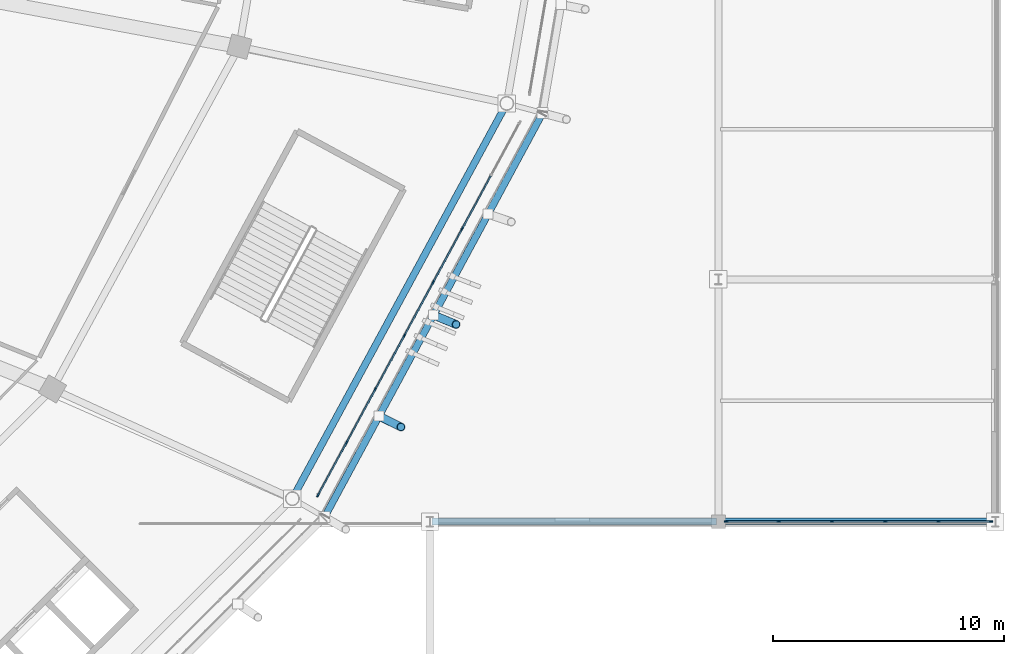
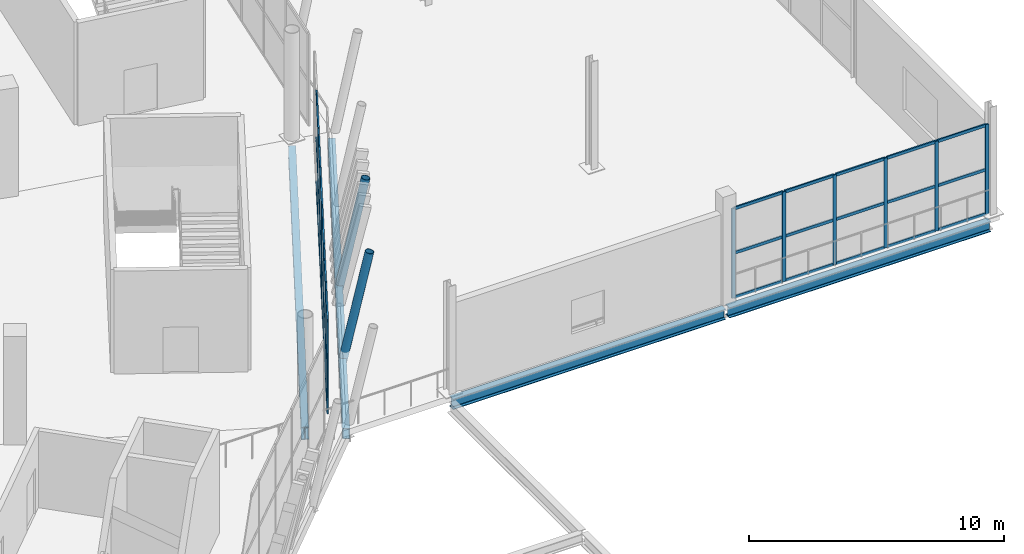
# One storey, part 59 of 178: 47 members, 4 beams, 2 elements without a shape of their own.
"""IFC4 building model written with IfcOpenShell, lengths in metres."""

from ifc_helpers import new_model, si_unit, direction, frame, origin, origin_2d, place, context, subcontext, project, spatial, rectangle, hollow_rectangle, hollow_circle, i_section, extrude, material, material_profile, profile_set, type_object, element, aggregate, save


model = new_model("IFC4")

# Units and contexts
model_context = context("Model", 3, precision=1e-05, world=origin(), true_north=direction((0.0, 1.0)))
body_context = subcontext(model_context, "Body", "Model", "MODEL_VIEW")
ifc_project = project(units=[si_unit("LENGTHUNIT", "METRE"), si_unit("AREAUNIT", "SQUARE_METRE"), si_unit("VOLUMEUNIT", "CUBIC_METRE"), si_unit("PLANEANGLEUNIT", "RADIAN"), si_unit("MASSUNIT", "GRAM", prefix="KILO")], contexts=[model_context])

# Site, building, storey
site_placement = place(None, origin())
site = spatial("IfcSite", under=ifc_project, at=site_placement, CompositionType="ELEMENT")
building_placement = place(site_placement, origin())
building = spatial("IfcBuilding", under=site, at=building_placement, Name="Zlatoyarsky Gate Stadium", CompositionType="ELEMENT")
storey_placement = place(building_placement, frame((0.0, 0.0, 5.39990234375)))
storey = spatial("IfcBuildingStorey", under=building, at=storey_placement, Name="L01", CompositionType="ELEMENT", Elevation=5.39990234375)

# Curtain wall, members
ifc_material_1 = material(Name="Thermally broken anodised aluminium curtain wall", Category="aluminium")
curtain_wall_type_1 = type_object("IfcCurtainWallType", Name="UNITISED HOSPITALITY GLAZING L01", PredefinedType="USERDEFINED", material=ifc_material_1)
curtain_wall_1_placement = place(storey_placement, origin())
curtain_wall_1 = element("IfcCurtainWall", 1, at=curtain_wall_1_placement, inside=storey, type_object=curtain_wall_type_1, Name="Curtain wall CW-L01-22", ObjectType="UNITISED GLAZING", PredefinedType="USERDEFINED")
ifc_material_2 = material(Name="Anodised aluminium 6063-T6", Category="aluminium")
ifc_material_profile_1 = material_profile(ifc_material_2, rectangle(XDim=0.06494140625, YDim=0.159912109375, at=origin_2d()), Name="ALU 65X160")
ifc_profile_set_1 = profile_set([ifc_material_profile_1], Name="Anodised aluminium 6063-T6")
member_type_1 = type_object("IfcMemberType", Name="ALUMINIUM MULLION 65X160", PredefinedType="MULLION", material=ifc_profile_set_1)
member_1_placement = place(storey_placement, frame((192.65185546875, 44.64599609375, 0.0), z_axis=(0.0, 0.0, 1.0), x_axis=(-0.879562033396, 0.475784225682, 0.0)))
member_1 = element("IfcMember", 2, at=member_1_placement, type_object=member_type_1, Name="CW-UG1 mullion 1", PredefinedType="MULLION", context=body_context, shape_type="SweptSolid", body=[
    extrude(rectangle(XDim=0.06494140625, YDim=0.159912109375, at=origin_2d()), origin(), (0.0, 0.0, 1.0), 4.400146484375),
])
member_2_placement = place(storey_placement, frame((193.88818359375, 46.931640625, 0.0), z_axis=(0.0, 0.0, 1.0), x_axis=(-0.879562033396, 0.475784225682, 0.0)))
member_2 = element("IfcMember", 3, at=member_2_placement, type_object=member_type_1, Name="CW-UG1 mullion 2", PredefinedType="MULLION", context=body_context, shape_type="SweptSolid", body=[
    extrude(rectangle(XDim=0.06494140625, YDim=0.159912109375, at=origin_2d()), origin(), (0.0, 0.0, 1.0), 4.400146484375),
])
member_3_placement = place(storey_placement, frame((195.14013671875, 49.245849609375, 0.0), z_axis=(0.0, 0.0, 1.0), x_axis=(-0.879562033396, 0.475784225682, 0.0)))
member_3 = element("IfcMember", 4, at=member_3_placement, type_object=member_type_1, Name="CW-UG1 mullion 3", PredefinedType="MULLION", context=body_context, shape_type="SweptSolid", body=[
    extrude(rectangle(XDim=0.06494140625, YDim=0.159912109375, at=origin_2d()), origin(), (0.0, 0.0, 1.0), 4.400146484375),
])
member_4_placement = place(storey_placement, frame((196.391845703125, 51.56005859375, 0.0), z_axis=(0.0, 0.0, 1.0), x_axis=(-0.879562033396, 0.475784225682, 0.0)))
member_4 = element("IfcMember", 5, at=member_4_placement, type_object=member_type_1, Name="CW-UG1 mullion 4", PredefinedType="MULLION", context=body_context, shape_type="SweptSolid", body=[
    extrude(rectangle(XDim=0.06494140625, YDim=0.159912109375, at=origin_2d()), origin(), (0.0, 0.0, 1.0), 4.400146484375),
])
member_5_placement = place(storey_placement, frame((197.643798828125, 53.874267578125, 0.0), z_axis=(0.0, 0.0, 1.0), x_axis=(-0.879562033396, 0.475784225682, 0.0)))
member_5 = element("IfcMember", 6, at=member_5_placement, type_object=member_type_1, Name="CW-UG1 mullion 5", PredefinedType="MULLION", context=body_context, shape_type="SweptSolid", body=[
    extrude(rectangle(XDim=0.06494140625, YDim=0.159912109375, at=origin_2d()), origin(), (0.0, 0.0, 1.0), 4.400146484375),
])
member_6_placement = place(storey_placement, frame((198.8955078125, 56.1884765625, 0.0), z_axis=(0.0, 0.0, 1.0), x_axis=(-0.879562033396, 0.475784225682, 0.0)))
member_6 = element("IfcMember", 7, at=member_6_placement, type_object=member_type_1, Name="CW-UG1 mullion 6", PredefinedType="MULLION", context=body_context, shape_type="SweptSolid", body=[
    extrude(rectangle(XDim=0.06494140625, YDim=0.159912109375, at=origin_2d()), origin(), (0.0, 0.0, 1.0), 4.400146484375),
])

curtain_wall_type_2 = type_object("IfcCurtainWallType", Name="WINTER GARDEN CONSERVATORY GLAZING", PredefinedType="USERDEFINED", material=ifc_material_1)
curtain_wall_2_placement = place(storey_placement, origin())
curtain_wall_2 = element("IfcCurtainWall", 8, at=curtain_wall_2_placement, inside=storey, type_object=curtain_wall_type_2, Name="Curtain wall CW-V5_EAST-L01-188", ObjectType="UNITISED GLAZING", PredefinedType="USERDEFINED")
member_7_placement = place(storey_placement, frame((210.344482421875, 43.5, 0.0), z_axis=(0.0, 0.0, 1.0), x_axis=(0.0, 1.0, 0.0)))
member_7 = element("IfcMember", 9, at=member_7_placement, type_object=member_type_1, Name="CW-WG1 mullion 1", PredefinedType="MULLION", context=body_context, shape_type="SweptSolid", body=[
    extrude(rectangle(XDim=0.06494140625, YDim=0.159912109375, at=origin_2d()), origin(), (0.0, 0.0, 1.0), 4.300048828125),
])
member_8_placement = place(storey_placement, frame((212.6171875, 43.5, 0.0), z_axis=(0.0, 0.0, 1.0), x_axis=(0.0, 1.0, 0.0)))
member_8 = element("IfcMember", 10, at=member_8_placement, type_object=member_type_1, Name="CW-WG1 mullion 2", PredefinedType="MULLION", context=body_context, shape_type="SweptSolid", body=[
    extrude(rectangle(XDim=0.06494140625, YDim=0.159912109375, at=origin_2d()), origin(), (0.0, 0.0, 1.0), 4.300048828125),
])
member_9_placement = place(storey_placement, frame((214.92236328125, 43.5, 0.0), z_axis=(0.0, 0.0, 1.0), x_axis=(0.0, 1.0, 0.0)))
member_9 = element("IfcMember", 11, at=member_9_placement, type_object=member_type_1, Name="CW-WG1 mullion 3", PredefinedType="MULLION", context=body_context, shape_type="SweptSolid", body=[
    extrude(rectangle(XDim=0.06494140625, YDim=0.159912109375, at=origin_2d()), origin(), (0.0, 0.0, 1.0), 4.300048828125),
])
member_10_placement = place(storey_placement, frame((217.2275390625, 43.5, 0.0), z_axis=(0.0, 0.0, 1.0), x_axis=(0.0, 1.0, 0.0)))
member_10 = element("IfcMember", 12, at=member_10_placement, type_object=member_type_1, Name="CW-WG1 mullion 4", PredefinedType="MULLION", context=body_context, shape_type="SweptSolid", body=[
    extrude(rectangle(XDim=0.06494140625, YDim=0.159912109375, at=origin_2d()), origin(), (0.0, 0.0, 1.0), 4.300048828125),
])
member_11_placement = place(storey_placement, frame((219.53271484375, 43.5, 0.0), z_axis=(0.0, 0.0, 1.0), x_axis=(0.0, 1.0, 0.0)))
member_11 = element("IfcMember", 13, at=member_11_placement, type_object=member_type_1, Name="CW-WG1 mullion 5", PredefinedType="MULLION", context=body_context, shape_type="SweptSolid", body=[
    extrude(rectangle(XDim=0.06494140625, YDim=0.159912109375, at=origin_2d()), origin(), (0.0, 0.0, 1.0), 4.300048828125),
])
member_12_placement = place(storey_placement, frame((221.805419921875, 43.5, 0.0), z_axis=(0.0, 0.0, 1.0), x_axis=(0.0, 1.0, 0.0)))
member_12 = element("IfcMember", 14, at=member_12_placement, type_object=member_type_1, Name="CW-WG1 mullion 6", PredefinedType="MULLION", context=body_context, shape_type="SweptSolid", body=[
    extrude(rectangle(XDim=0.06494140625, YDim=0.159912109375, at=origin_2d()), origin(), (0.0, 0.0, 1.0), 4.300048828125),
])

# Member
ifc_material_profile_2 = material_profile(ifc_material_2, rectangle(XDim=0.06494140625, YDim=0.139892578125, at=origin_2d()), Name="ALU 65X140")
ifc_profile_set_2 = profile_set([ifc_material_profile_2], Name="Anodised aluminium 6063-T6")
member_type_2 = type_object("IfcMemberType", Name="ALUMINIUM TRANSOM 65X140", PredefinedType="USERDEFINED", material=ifc_profile_set_2)
member_13_placement = place(storey_placement, frame((192.667236328125, 44.674560546875, 0.03271484375), z_axis=(0.475811253632, 0.879547412546, 0.0), x_axis=(-0.879547412546, 0.475811253632, 0.0)))
member_13 = element("IfcMember", 15, at=member_13_placement, type_object=member_type_2, Name="CW-UG1 transom 1.1", ObjectType="TRANSOM", PredefinedType="USERDEFINED", context=body_context, shape_type="SweptSolid", body=[
    extrude(rectangle(XDim=0.06494140625, YDim=0.139892578125, at=origin_2d()), origin(), (0.0, 0.0, 1.0), 2.53369140625),
])

member_14_placement = place(storey_placement, frame((192.667236328125, 44.674560546875, 2.150146484375), z_axis=(0.475811253632, 0.879547412546, 0.0), x_axis=(-0.879547412546, 0.475811253632, 0.0)))
member_14 = element("IfcMember", 16, at=member_14_placement, type_object=member_type_2, Name="CW-UG1 transom 1.2", ObjectType="TRANSOM", PredefinedType="USERDEFINED", context=body_context, shape_type="SweptSolid", body=[
    extrude(rectangle(XDim=0.06494140625, YDim=0.139892578125, at=origin_2d()), origin(), (0.0, 0.0, 1.0), 2.53369140625),
])

member_15_placement = place(storey_placement, frame((192.667236328125, 44.674560546875, 4.36767578125), z_axis=(0.475811253632, 0.879547412546, 0.0), x_axis=(-0.879547412546, 0.475811253632, 0.0)))
member_15 = element("IfcMember", 17, at=member_15_placement, type_object=member_type_2, Name="CW-UG1 transom 1.3", ObjectType="TRANSOM", PredefinedType="USERDEFINED", context=body_context, shape_type="SweptSolid", body=[
    extrude(rectangle(XDim=0.06494140625, YDim=0.139892578125, at=origin_2d()), origin(), (0.0, 0.0, 1.0), 2.53369140625),
])

member_16_placement = place(storey_placement, frame((193.90380859375, 46.960205078125, 0.03271484375), z_axis=(0.475716021552, 0.87959892385, 0.0), x_axis=(-0.87959892385, 0.475716021552, 0.0)))
member_16 = element("IfcMember", 18, at=member_16_placement, type_object=member_type_2, Name="CW-UG1 transom 2.1", ObjectType="TRANSOM", PredefinedType="USERDEFINED", context=body_context, shape_type="SweptSolid", body=[
    extrude(rectangle(XDim=0.06494140625, YDim=0.139892578125, at=origin_2d()), origin(), (0.0, 0.0, 1.0), 2.56591796875),
])

member_17_placement = place(storey_placement, frame((193.90380859375, 46.960205078125, 2.150146484375), z_axis=(0.475716021552, 0.87959892385, 0.0), x_axis=(-0.87959892385, 0.475716021552, 0.0)))
member_17 = element("IfcMember", 19, at=member_17_placement, type_object=member_type_2, Name="CW-UG1 transom 2.2", ObjectType="TRANSOM", PredefinedType="USERDEFINED", context=body_context, shape_type="SweptSolid", body=[
    extrude(rectangle(XDim=0.06494140625, YDim=0.139892578125, at=origin_2d()), origin(), (0.0, 0.0, 1.0), 2.56591796875),
])

member_18_placement = place(storey_placement, frame((193.90380859375, 46.960205078125, 4.36767578125), z_axis=(0.475716021552, 0.87959892385, 0.0), x_axis=(-0.87959892385, 0.475716021552, 0.0)))
member_18 = element("IfcMember", 20, at=member_18_placement, type_object=member_type_2, Name="CW-UG1 transom 2.3", ObjectType="TRANSOM", PredefinedType="USERDEFINED", context=body_context, shape_type="SweptSolid", body=[
    extrude(rectangle(XDim=0.06494140625, YDim=0.139892578125, at=origin_2d()), origin(), (0.0, 0.0, 1.0), 2.56591796875),
])

member_19_placement = place(storey_placement, frame((195.155517578125, 49.2744140625, 0.03271484375), z_axis=(0.475789628306, 0.879559110916, 0.0), x_axis=(-0.879559110916, 0.475789628306, 0.0)))
member_19 = element("IfcMember", 21, at=member_19_placement, type_object=member_type_2, Name="CW-UG1 transom 3.1", ObjectType="TRANSOM", PredefinedType="USERDEFINED", context=body_context, shape_type="SweptSolid", body=[
    extrude(rectangle(XDim=0.06494140625, YDim=0.139892578125, at=origin_2d()), origin(), (0.0, 0.0, 1.0), 2.566162109375),
])

member_20_placement = place(storey_placement, frame((195.155517578125, 49.2744140625, 2.150146484375), z_axis=(0.475789628306, 0.879559110916, 0.0), x_axis=(-0.879559110916, 0.475789628306, 0.0)))
member_20 = element("IfcMember", 22, at=member_20_placement, type_object=member_type_2, Name="CW-UG1 transom 3.2", ObjectType="TRANSOM", PredefinedType="USERDEFINED", context=body_context, shape_type="SweptSolid", body=[
    extrude(rectangle(XDim=0.06494140625, YDim=0.139892578125, at=origin_2d()), origin(), (0.0, 0.0, 1.0), 2.566162109375),
])

member_21_placement = place(storey_placement, frame((195.155517578125, 49.2744140625, 4.36767578125), z_axis=(0.475789628306, 0.879559110916, 0.0), x_axis=(-0.879559110916, 0.475789628306, 0.0)))
member_21 = element("IfcMember", 23, at=member_21_placement, type_object=member_type_2, Name="CW-UG1 transom 3.3", ObjectType="TRANSOM", PredefinedType="USERDEFINED", context=body_context, shape_type="SweptSolid", body=[
    extrude(rectangle(XDim=0.06494140625, YDim=0.139892578125, at=origin_2d()), origin(), (0.0, 0.0, 1.0), 2.566162109375),
])

member_22_placement = place(storey_placement, frame((196.407470703125, 51.588623046875, 0.03271484375), z_axis=(0.475789628306, 0.879559110916, 0.0), x_axis=(-0.879559110916, 0.475789628306, 0.0)))
member_22 = element("IfcMember", 24, at=member_22_placement, type_object=member_type_2, Name="CW-UG1 transom 4.1", ObjectType="TRANSOM", PredefinedType="USERDEFINED", context=body_context, shape_type="SweptSolid", body=[
    extrude(rectangle(XDim=0.06494140625, YDim=0.139892578125, at=origin_2d()), origin(), (0.0, 0.0, 1.0), 2.566162109375),
])

member_23_placement = place(storey_placement, frame((196.407470703125, 51.588623046875, 2.150146484375), z_axis=(0.475789628306, 0.879559110916, 0.0), x_axis=(-0.879559110916, 0.475789628306, 0.0)))
member_23 = element("IfcMember", 25, at=member_23_placement, type_object=member_type_2, Name="CW-UG1 transom 4.2", ObjectType="TRANSOM", PredefinedType="USERDEFINED", context=body_context, shape_type="SweptSolid", body=[
    extrude(rectangle(XDim=0.06494140625, YDim=0.139892578125, at=origin_2d()), origin(), (0.0, 0.0, 1.0), 2.566162109375),
])

member_24_placement = place(storey_placement, frame((196.407470703125, 51.588623046875, 4.36767578125), z_axis=(0.475789628306, 0.879559110916, 0.0), x_axis=(-0.879559110916, 0.475789628306, 0.0)))
member_24 = element("IfcMember", 26, at=member_24_placement, type_object=member_type_2, Name="CW-UG1 transom 4.3", ObjectType="TRANSOM", PredefinedType="USERDEFINED", context=body_context, shape_type="SweptSolid", body=[
    extrude(rectangle(XDim=0.06494140625, YDim=0.139892578125, at=origin_2d()), origin(), (0.0, 0.0, 1.0), 2.566162109375),
])

member_25_placement = place(storey_placement, frame((197.6591796875, 53.90283203125, 0.03271484375), z_axis=(0.475789628306, 0.879559110916, 0.0), x_axis=(-0.879559110916, 0.475789628306, 0.0)))
member_25 = element("IfcMember", 27, at=member_25_placement, type_object=member_type_2, Name="CW-UG1 transom 5.1", ObjectType="TRANSOM", PredefinedType="USERDEFINED", context=body_context, shape_type="SweptSolid", body=[
    extrude(rectangle(XDim=0.06494140625, YDim=0.139892578125, at=origin_2d()), origin(), (0.0, 0.0, 1.0), 2.566162109375),
])

member_26_placement = place(storey_placement, frame((197.6591796875, 53.90283203125, 2.150146484375), z_axis=(0.475789628306, 0.879559110916, 0.0), x_axis=(-0.879559110916, 0.475789628306, 0.0)))
member_26 = element("IfcMember", 28, at=member_26_placement, type_object=member_type_2, Name="CW-UG1 transom 5.2", ObjectType="TRANSOM", PredefinedType="USERDEFINED", context=body_context, shape_type="SweptSolid", body=[
    extrude(rectangle(XDim=0.06494140625, YDim=0.139892578125, at=origin_2d()), origin(), (0.0, 0.0, 1.0), 2.566162109375),
])

member_27_placement = place(storey_placement, frame((197.6591796875, 53.90283203125, 4.36767578125), z_axis=(0.475789628306, 0.879559110916, 0.0), x_axis=(-0.879559110916, 0.475789628306, 0.0)))
member_27 = element("IfcMember", 29, at=member_27_placement, type_object=member_type_2, Name="CW-UG1 transom 5.3", ObjectType="TRANSOM", PredefinedType="USERDEFINED", context=body_context, shape_type="SweptSolid", body=[
    extrude(rectangle(XDim=0.06494140625, YDim=0.139892578125, at=origin_2d()), origin(), (0.0, 0.0, 1.0), 2.566162109375),
])

member_28_placement = place(storey_placement, frame((198.9111328125, 56.217041015625, 0.03271484375), z_axis=(0.475789628306, 0.879559110916, 0.0), x_axis=(-0.879559110916, 0.475789628306, 0.0)))
member_28 = element("IfcMember", 30, at=member_28_placement, type_object=member_type_2, Name="CW-UG1 transom 6.1", ObjectType="TRANSOM", PredefinedType="USERDEFINED", context=body_context, shape_type="SweptSolid", body=[
    extrude(rectangle(XDim=0.06494140625, YDim=0.139892578125, at=origin_2d()), origin(), (0.0, 0.0, 1.0), 2.566162109375),
])

member_29_placement = place(storey_placement, frame((198.9111328125, 56.217041015625, 2.150146484375), z_axis=(0.475789628306, 0.879559110916, 0.0), x_axis=(-0.879559110916, 0.475789628306, 0.0)))
member_29 = element("IfcMember", 31, at=member_29_placement, type_object=member_type_2, Name="CW-UG1 transom 6.2", ObjectType="TRANSOM", PredefinedType="USERDEFINED", context=body_context, shape_type="SweptSolid", body=[
    extrude(rectangle(XDim=0.06494140625, YDim=0.139892578125, at=origin_2d()), origin(), (0.0, 0.0, 1.0), 2.566162109375),
])

member_30_placement = place(storey_placement, frame((198.9111328125, 56.217041015625, 4.36767578125), z_axis=(0.475789628306, 0.879559110916, 0.0), x_axis=(-0.879559110916, 0.475789628306, 0.0)))
member_30 = element("IfcMember", 32, at=member_30_placement, type_object=member_type_2, Name="CW-UG1 transom 6.3", ObjectType="TRANSOM", PredefinedType="USERDEFINED", context=body_context, shape_type="SweptSolid", body=[
    extrude(rectangle(XDim=0.06494140625, YDim=0.139892578125, at=origin_2d()), origin(), (0.0, 0.0, 1.0), 2.566162109375),
])

aggregate(curtain_wall_1, [member_1, member_2, member_3, member_4, member_5, member_6, member_13, member_14, member_15, member_16, member_17, member_18, member_19, member_20, member_21, member_22, member_23, member_24, member_25, member_26, member_27, member_28, member_29, member_30])

member_31_placement = place(storey_placement, frame((210.376953125, 43.5, 0.03271484375), z_axis=(1.0, 0.0, 0.0), x_axis=(0.0, 1.0, 0.0)))
member_31 = element("IfcMember", 33, at=member_31_placement, type_object=member_type_2, Name="CW-WG1 transom 1.1", ObjectType="TRANSOM", PredefinedType="USERDEFINED", context=body_context, shape_type="SweptSolid", body=[
    extrude(rectangle(XDim=0.06494140625, YDim=0.139892578125, at=origin_2d()), origin(), (0.0, 0.0, 1.0), 2.207763671875),
])

member_32_placement = place(storey_placement, frame((210.376953125, 43.5, 2.150146484375), z_axis=(1.0, 0.0, 0.0), x_axis=(0.0, 1.0, 0.0)))
member_32 = element("IfcMember", 34, at=member_32_placement, type_object=member_type_2, Name="CW-WG1 transom 1.2", ObjectType="TRANSOM", PredefinedType="USERDEFINED", context=body_context, shape_type="SweptSolid", body=[
    extrude(rectangle(XDim=0.06494140625, YDim=0.139892578125, at=origin_2d()), origin(), (0.0, 0.0, 1.0), 2.207763671875),
])

member_33_placement = place(storey_placement, frame((210.376953125, 43.5, 4.267578125), z_axis=(1.0, 0.0, 0.0), x_axis=(0.0, 1.0, 0.0)))
member_33 = element("IfcMember", 35, at=member_33_placement, type_object=member_type_2, Name="CW-WG1 transom 1.3", ObjectType="TRANSOM", PredefinedType="USERDEFINED", context=body_context, shape_type="SweptSolid", body=[
    extrude(rectangle(XDim=0.06494140625, YDim=0.139892578125, at=origin_2d()), origin(), (0.0, 0.0, 1.0), 2.207763671875),
])

member_34_placement = place(storey_placement, frame((212.649658203125, 43.5, 0.03271484375), z_axis=(1.0, 0.0, 0.0), x_axis=(0.0, 1.0, 0.0)))
member_34 = element("IfcMember", 36, at=member_34_placement, type_object=member_type_2, Name="CW-WG1 transom 2.1", ObjectType="TRANSOM", PredefinedType="USERDEFINED", context=body_context, shape_type="SweptSolid", body=[
    extrude(rectangle(XDim=0.06494140625, YDim=0.139892578125, at=origin_2d()), origin(), (0.0, 0.0, 1.0), 2.240234375),
])

member_35_placement = place(storey_placement, frame((212.649658203125, 43.5, 2.150146484375), z_axis=(1.0, 0.0, 0.0), x_axis=(0.0, 1.0, 0.0)))
member_35 = element("IfcMember", 37, at=member_35_placement, type_object=member_type_2, Name="CW-WG1 transom 2.2", ObjectType="TRANSOM", PredefinedType="USERDEFINED", context=body_context, shape_type="SweptSolid", body=[
    extrude(rectangle(XDim=0.06494140625, YDim=0.139892578125, at=origin_2d()), origin(), (0.0, 0.0, 1.0), 2.240234375),
])

member_36_placement = place(storey_placement, frame((212.649658203125, 43.5, 4.267578125), z_axis=(1.0, 0.0, 0.0), x_axis=(0.0, 1.0, 0.0)))
member_36 = element("IfcMember", 38, at=member_36_placement, type_object=member_type_2, Name="CW-WG1 transom 2.3", ObjectType="TRANSOM", PredefinedType="USERDEFINED", context=body_context, shape_type="SweptSolid", body=[
    extrude(rectangle(XDim=0.06494140625, YDim=0.139892578125, at=origin_2d()), origin(), (0.0, 0.0, 1.0), 2.240234375),
])

member_37_placement = place(storey_placement, frame((214.954833984375, 43.5, 0.03271484375), z_axis=(1.0, 0.0, 0.0), x_axis=(0.0, 1.0, 0.0)))
member_37 = element("IfcMember", 39, at=member_37_placement, type_object=member_type_2, Name="CW-WG1 transom 3.1", ObjectType="TRANSOM", PredefinedType="USERDEFINED", context=body_context, shape_type="SweptSolid", body=[
    extrude(rectangle(XDim=0.06494140625, YDim=0.139892578125, at=origin_2d()), origin(), (0.0, 0.0, 1.0), 2.240234375),
])

member_38_placement = place(storey_placement, frame((214.954833984375, 43.5, 2.150146484375), z_axis=(1.0, 0.0, 0.0), x_axis=(0.0, 1.0, 0.0)))
member_38 = element("IfcMember", 40, at=member_38_placement, type_object=member_type_2, Name="CW-WG1 transom 3.2", ObjectType="TRANSOM", PredefinedType="USERDEFINED", context=body_context, shape_type="SweptSolid", body=[
    extrude(rectangle(XDim=0.06494140625, YDim=0.139892578125, at=origin_2d()), origin(), (0.0, 0.0, 1.0), 2.240234375),
])

member_39_placement = place(storey_placement, frame((214.954833984375, 43.5, 4.267578125), z_axis=(1.0, 0.0, 0.0), x_axis=(0.0, 1.0, 0.0)))
member_39 = element("IfcMember", 41, at=member_39_placement, type_object=member_type_2, Name="CW-WG1 transom 3.3", ObjectType="TRANSOM", PredefinedType="USERDEFINED", context=body_context, shape_type="SweptSolid", body=[
    extrude(rectangle(XDim=0.06494140625, YDim=0.139892578125, at=origin_2d()), origin(), (0.0, 0.0, 1.0), 2.240234375),
])

member_40_placement = place(storey_placement, frame((217.260009765625, 43.5, 0.03271484375), z_axis=(1.0, 0.0, 0.0), x_axis=(0.0, 1.0, 0.0)))
member_40 = element("IfcMember", 42, at=member_40_placement, type_object=member_type_2, Name="CW-WG1 transom 4.1", ObjectType="TRANSOM", PredefinedType="USERDEFINED", context=body_context, shape_type="SweptSolid", body=[
    extrude(rectangle(XDim=0.06494140625, YDim=0.139892578125, at=origin_2d()), origin(), (0.0, 0.0, 1.0), 2.240234375),
])

member_41_placement = place(storey_placement, frame((217.260009765625, 43.5, 2.150146484375), z_axis=(1.0, 0.0, 0.0), x_axis=(0.0, 1.0, 0.0)))
member_41 = element("IfcMember", 43, at=member_41_placement, type_object=member_type_2, Name="CW-WG1 transom 4.2", ObjectType="TRANSOM", PredefinedType="USERDEFINED", context=body_context, shape_type="SweptSolid", body=[
    extrude(rectangle(XDim=0.06494140625, YDim=0.139892578125, at=origin_2d()), origin(), (0.0, 0.0, 1.0), 2.240234375),
])

member_42_placement = place(storey_placement, frame((217.260009765625, 43.5, 4.267578125), z_axis=(1.0, 0.0, 0.0), x_axis=(0.0, 1.0, 0.0)))
member_42 = element("IfcMember", 44, at=member_42_placement, type_object=member_type_2, Name="CW-WG1 transom 4.3", ObjectType="TRANSOM", PredefinedType="USERDEFINED", context=body_context, shape_type="SweptSolid", body=[
    extrude(rectangle(XDim=0.06494140625, YDim=0.139892578125, at=origin_2d()), origin(), (0.0, 0.0, 1.0), 2.240234375),
])

member_43_placement = place(storey_placement, frame((219.565185546875, 43.5, 0.03271484375), z_axis=(1.0, 0.0, 0.0), x_axis=(0.0, 1.0, 0.0)))
member_43 = element("IfcMember", 45, at=member_43_placement, type_object=member_type_2, Name="CW-WG1 transom 5.1", ObjectType="TRANSOM", PredefinedType="USERDEFINED", context=body_context, shape_type="SweptSolid", body=[
    extrude(rectangle(XDim=0.06494140625, YDim=0.139892578125, at=origin_2d()), origin(), (0.0, 0.0, 1.0), 2.207763671875),
])

member_44_placement = place(storey_placement, frame((219.565185546875, 43.5, 2.150146484375), z_axis=(1.0, 0.0, 0.0), x_axis=(0.0, 1.0, 0.0)))
member_44 = element("IfcMember", 46, at=member_44_placement, type_object=member_type_2, Name="CW-WG1 transom 5.2", ObjectType="TRANSOM", PredefinedType="USERDEFINED", context=body_context, shape_type="SweptSolid", body=[
    extrude(rectangle(XDim=0.06494140625, YDim=0.139892578125, at=origin_2d()), origin(), (0.0, 0.0, 1.0), 2.207763671875),
])

member_45_placement = place(storey_placement, frame((219.565185546875, 43.5, 4.267578125), z_axis=(1.0, 0.0, 0.0), x_axis=(0.0, 1.0, 0.0)))
member_45 = element("IfcMember", 47, at=member_45_placement, type_object=member_type_2, Name="CW-WG1 transom 5.3", ObjectType="TRANSOM", PredefinedType="USERDEFINED", context=body_context, shape_type="SweptSolid", body=[
    extrude(rectangle(XDim=0.06494140625, YDim=0.139892578125, at=origin_2d()), origin(), (0.0, 0.0, 1.0), 2.207763671875),
])

aggregate(curtain_wall_2, [member_7, member_8, member_9, member_10, member_11, member_12, member_31, member_32, member_33, member_34, member_35, member_36, member_37, member_38, member_39, member_40, member_41, member_42, member_43, member_44, member_45])

# Members
ifc_material_3 = material(Name="Steel S355", Category="steel")
ifc_material_profile_3 = material_profile(ifc_material_3, hollow_circle(Radius=0.177734375, WallThickness=0.02001953125, at=origin_2d()), Name="CHS 355.6X20")
ifc_profile_set_3 = profile_set([ifc_material_profile_3], Name="Steel S355")
member_type_3 = type_object("IfcMemberType", Name="STEEL LEANING RIB RING STRUT CHS 355.6X20", PredefinedType="STRUT", material=ifc_profile_set_3)
member_46_placement = place(storey_placement, frame((195.29638671875, 48.07373046875, -0.5498046875), z_axis=(0.178524010353, -0.088139068526, 0.979979939757), x_axis=(0.442695769083, 0.896671877576, 0.0)))
element("IfcMember", 48, at=member_46_placement, inside=storey, type_object=member_type_3, Name="Outward-leaning bowl louvre fin rib L01 22-1", PredefinedType="STRUT", context=body_context, shape_type="SweptSolid", body=[
    extrude(hollow_circle(Radius=0.177734375, WallThickness=0.02001953125, at=origin_2d()), origin(), (0.0, 0.0, 1.0), 5.32666015625),
])
member_47_placement = place(storey_placement, frame((197.6591796875, 52.45166015625, -0.5498046875), z_axis=(0.183536253805, -0.07604561565, 0.98006709356), x_axis=(0.382779713358, 0.923839645741, 0.0)))
element("IfcMember", 49, at=member_47_placement, inside=storey, type_object=member_type_3, Name="Outward-leaning bowl louvre fin rib L01 22-2", PredefinedType="STRUT", context=body_context, shape_type="SweptSolid", body=[
    extrude(hollow_circle(Radius=0.177734375, WallThickness=0.02001953125, at=origin_2d()), origin(), (0.0, 0.0, 1.0), 5.326171875),
])

# Beams
ifc_material_profile_4 = material_profile(ifc_material_3, hollow_rectangle(XDim=0.300048828125, YDim=0.5, WallThickness=0.02001953125, at=origin_2d()), Name="RHS 500X300X20")
ifc_profile_set_4 = profile_set([ifc_material_profile_4], Name="Steel S355")
beam_type_1 = type_object("IfcBeamType", Name="STEEL LOUVRE CARRIER SPANDREL RHS 500X300X20", PredefinedType="SPANDREL", material=ifc_profile_set_4)
beam_1_placement = place(storey_placement, frame((192.94287109375, 43.71337890625, -0.5498046875), z_axis=(0.474955117661, 0.880010020516, 0.0), x_axis=(-0.880010020516, 0.474955117661, 0.0)))
element("IfcBeam", 50, at=beam_1_placement, inside=storey, type_object=beam_type_1, Name="Beam SP-RHS500 BM-L01-SPD-22", PredefinedType="SPANDREL", context=body_context, shape_type="SweptSolid", body=[
    extrude(hollow_rectangle(XDim=0.300048828125, YDim=0.5, WallThickness=0.02001953125, at=origin_2d()), origin(), (0.0, 0.0, 1.0), 19.859619140625),
])
ifc_material_profile_5 = material_profile(ifc_material_3, i_section(OverallWidth=0.300048828125, OverallDepth=0.5, WebThickness=0.014404296875, FlangeThickness=0.028076171875, FilletRadius=0.027099609375, at=origin_2d()), Name="HEB 500")
ifc_profile_set_5 = profile_set([ifc_material_profile_5], Name="Steel S355")
beam_type_2 = type_object("IfcBeamType", Name="STEEL PRIMARY GIRDER HEB 500", PredefinedType="BEAM", material=ifc_profile_set_5)
beam_2_placement = place(storey_placement, frame((197.580078125, 43.5, -0.5498046875), z_axis=(1.0, 0.0, 0.0), x_axis=(0.0, 1.0, 0.0)))
element("IfcBeam", 51, at=beam_2_placement, inside=storey, type_object=beam_type_2, Name="Beam G-HEB500 BM-L01-WGX-17-E", PredefinedType="BEAM", context=body_context, shape_type="SweptSolid", body=[
    extrude(i_section(OverallWidth=0.300048828125, OverallDepth=0.5, WebThickness=0.014404296875, FlangeThickness=0.028076171875, FilletRadius=0.027099609375, at=origin_2d()), origin(), (0.0, 0.0, 1.0), 12.33984375),
])
beam_3_placement = place(storey_placement, frame((210.080078125, 43.5, -0.5498046875), z_axis=(1.0, 0.0, 0.0), x_axis=(0.0, 1.0, 0.0)))
element("IfcBeam", 52, at=beam_3_placement, inside=storey, type_object=beam_type_2, Name="Beam G-HEB500 BM-L01-WGX-18-E", PredefinedType="BEAM", context=body_context, shape_type="SweptSolid", body=[
    extrude(i_section(OverallWidth=0.300048828125, OverallDepth=0.5, WebThickness=0.014404296875, FlangeThickness=0.028076171875, FilletRadius=0.027099609375, at=origin_2d()), origin(), (0.0, 0.0, 1.0), 11.83984375),
])
ifc_material_profile_6 = material_profile(ifc_material_3, i_section(OverallWidth=0.300048828125, OverallDepth=0.60009765625, WebThickness=0.015380859375, FlangeThickness=0.030029296875, FilletRadius=0.027099609375, at=origin_2d()), Name="HEB 600")
ifc_profile_set_6 = profile_set([ifc_material_profile_6], Name="Steel S355")
beam_type_3 = type_object("IfcBeamType", Name="STEEL PRIMARY GIRDER HEB 600", PredefinedType="BEAM", material=ifc_profile_set_6)
beam_4_placement = place(storey_placement, frame((191.59765625, 44.60546875, -0.599853515625), z_axis=(0.476891650323, 0.878962088973, 0.0), x_axis=(-0.878962088973, 0.476891650323, 0.0)))
element("IfcBeam", 53, at=beam_4_placement, inside=storey, type_object=beam_type_3, Name="Beam G-HEB600 BM-L01-CRC-22", PredefinedType="BEAM", context=body_context, shape_type="SweptSolid", body=[
    extrude(i_section(OverallWidth=0.300048828125, OverallDepth=0.60009765625, WebThickness=0.015380859375, FlangeThickness=0.030029296875, FilletRadius=0.027099609375, at=origin_2d()), origin(), (0.0, 0.0, 1.0), 19.241943359375),
])

save(model, "model.ifc")
